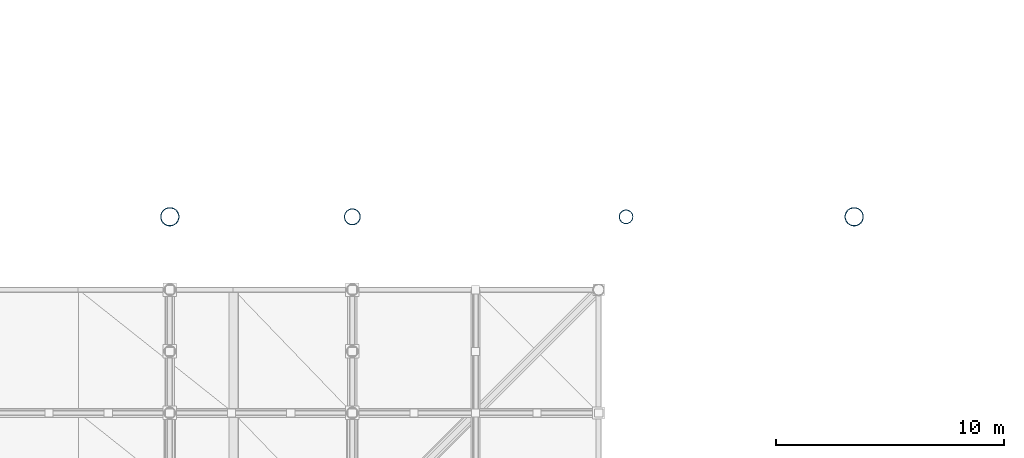
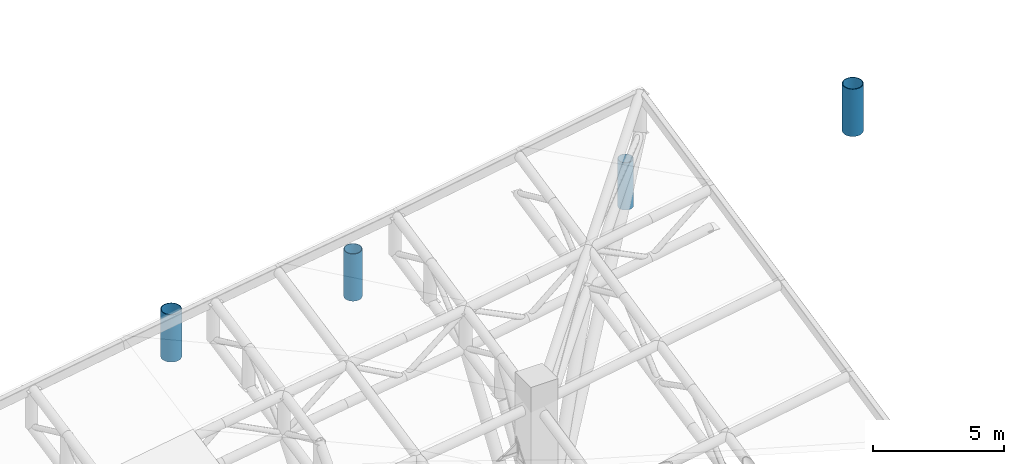
# One storey, part 5 of 137: 4 columns.
"""IFC4 building model written with IfcOpenShell, lengths in metres."""

from ifc_helpers import new_model, si_unit, direction, frame, origin, origin_2d, place, context, subcontext, project, spatial, hollow_circle, extrude, material, material_profile, profile_set, type_object, element, save


model = new_model("IFC4")

# Units and contexts
model_context = context("Model", 3, precision=1e-05, world=origin(), true_north=direction((0.0, 1.0)))
body_context = subcontext(model_context, "Body", "Model", "MODEL_VIEW")
ifc_project = project(units=[si_unit("LENGTHUNIT", "METRE"), si_unit("AREAUNIT", "SQUARE_METRE"), si_unit("VOLUMEUNIT", "CUBIC_METRE"), si_unit("PLANEANGLEUNIT", "RADIAN"), si_unit("MASSUNIT", "GRAM", prefix="KILO")], contexts=[model_context])

# Site, building, storey
site_placement = place(None, origin())
site = spatial("IfcSite", under=ifc_project, at=site_placement, CompositionType="ELEMENT")
building_placement = place(site_placement, origin())
building = spatial("IfcBuilding", under=site, at=building_placement, Name="Khorjan Park Terminus", CompositionType="ELEMENT")
storey_placement = place(building_placement, frame((0.0, 0.0, 11.4)))
storey = spatial("IfcBuildingStorey", under=building, at=storey_placement, Name="L02", CompositionType="ELEMENT", Elevation=11.4)

# Columns
ifc_material = material(Name="Steel S355", Category="steel")
ifc_material_profile_1 = material_profile(ifc_material, hollow_circle(Radius=0.305, WallThickness=0.02, at=origin_2d()), Name="CHS 610x20")
ifc_profile_set_1 = profile_set([ifc_material_profile_1], Name="Steel S355")
column_type_1 = type_object("IfcColumnType", Name="COL-SH610E", PredefinedType="COLUMN", material=ifc_profile_set_1)
column_1_placement = place(storey_placement, frame((148.0, 102.0, 0.0), z_axis=(0.0, 0.0, 1.0), x_axis=(1.0, 0.0, 0.0)))
element("IfcColumn", 1, at=column_1_placement, inside=storey, type_object=column_type_1, Name="Structural column SC-61 (L02 #209)", PredefinedType="COLUMN", context=body_context, shape_type="SweptSolid", body=[
    extrude(hollow_circle(Radius=0.305, WallThickness=0.02, at=origin_2d()), origin(), (0.0, 0.0, 1.0), 2.2),
])
ifc_material_profile_2 = material_profile(ifc_material, hollow_circle(Radius=0.3555, WallThickness=0.025, at=origin_2d()), Name="CHS 711x25")
ifc_profile_set_2 = profile_set([ifc_material_profile_2], Name="Steel S355")
column_type_2 = type_object("IfcColumnType", Name="COL-SH711E", PredefinedType="COLUMN", material=ifc_profile_set_2)
column_2_placement = place(storey_placement, frame((136.0, 102.0, 0.0), z_axis=(0.0, 0.0, 1.0), x_axis=(1.0, 0.0, 0.0)))
element("IfcColumn", 2, at=column_2_placement, inside=storey, type_object=column_type_2, Name="Structural column SC-71 (L02 #197)", PredefinedType="COLUMN", context=body_context, shape_type="SweptSolid", body=[
    extrude(hollow_circle(Radius=0.3555, WallThickness=0.025, at=origin_2d()), origin(), (0.0, 0.0, 1.0), 2.2),
])
ifc_material_profile_3 = material_profile(ifc_material, hollow_circle(Radius=0.4065, WallThickness=0.025, at=origin_2d()), Name="CHS 813x25")
ifc_profile_set_3 = profile_set([ifc_material_profile_3], Name="Steel S355")
column_type_3 = type_object("IfcColumnType", Name="COL-SH813E", PredefinedType="COLUMN", material=ifc_profile_set_3)
for number, where, z_axis, x_axis, name in (
    (3, (128.0, 102.0, 0.0), (0.0, 0.0, 1.0), (1.0, 0.0, 0.0), "Structural column SC-81 (L02 #188)"),
    (4, (158.0, 102.0, 0.0), (0.0, 0.0, 1.0), (1.0, 0.0, 0.0), "Structural column SC-81 (L02 #221)"),
):
    element("IfcColumn", number, at=place(storey_placement, frame(where, z_axis=z_axis, x_axis=x_axis)), inside=storey, type_object=column_type_3, Name=name, PredefinedType="COLUMN", context=body_context, shape_type="SweptSolid", body=[
        extrude(hollow_circle(Radius=0.4065, WallThickness=0.025, at=origin_2d()), origin(), (0.0, 0.0, 1.0), 2.2),
    ])

save(model, "model.ifc")
